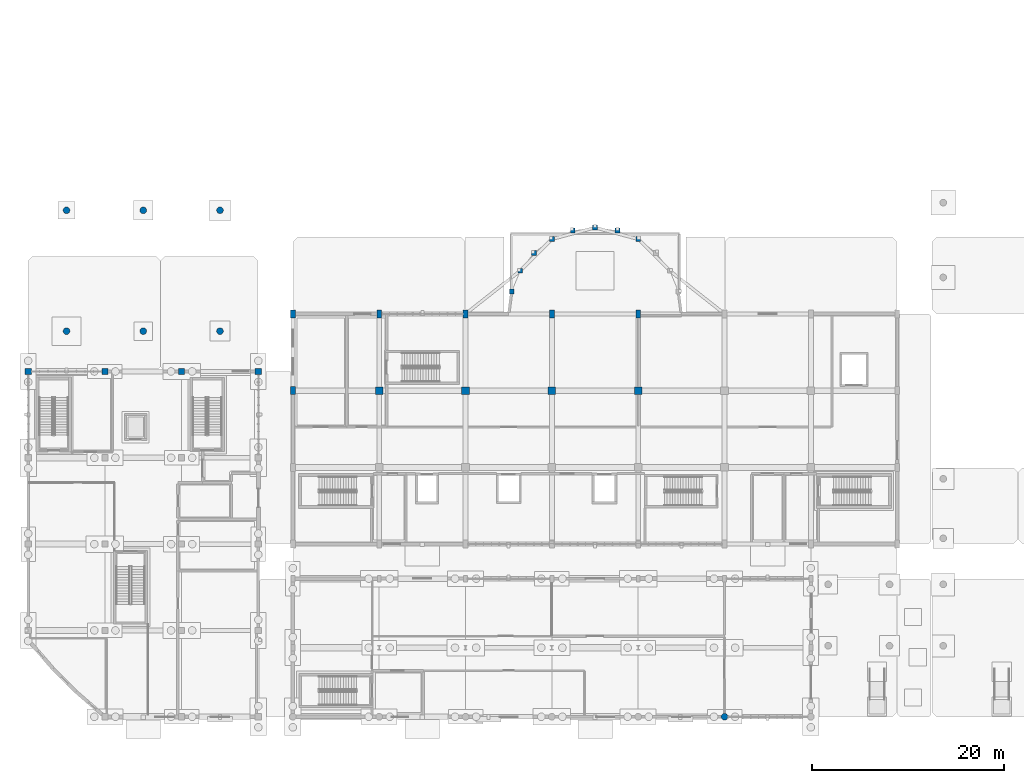
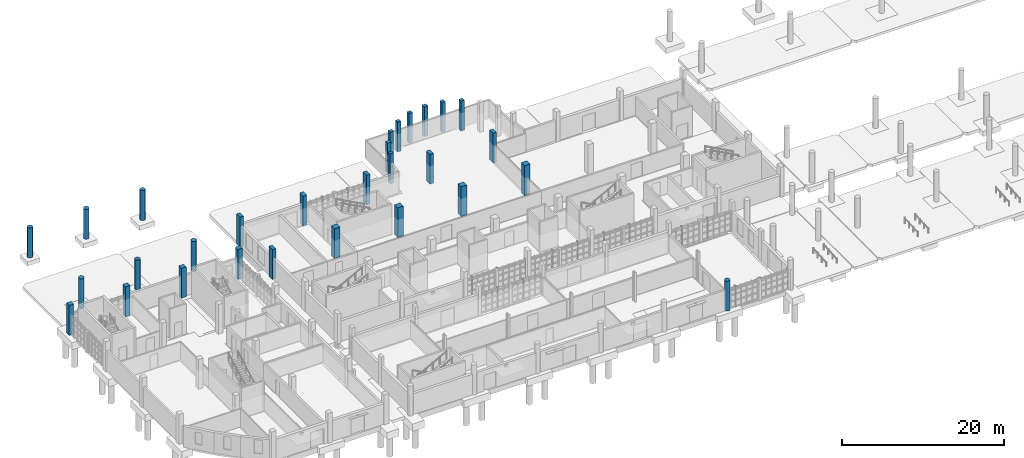
# One storey, part 6 of 63: 29 columns.
"""IFC4 building model written with IfcOpenShell, lengths in metres."""

from ifc_helpers import new_model, si_unit, direction, frame, origin, origin_2d, place, context, subcontext, project, spatial, rectangle, circle, extrude, material, material_profile, profile_set, type_object, element, save


model = new_model("IFC4")

# Units and contexts
model_context = context("Model", 3, precision=1e-05, world=origin(), true_north=direction((0.0, 1.0)))
body_context = subcontext(model_context, "Body", "Model", "MODEL_VIEW")
ifc_project = project(units=[si_unit("LENGTHUNIT", "METRE"), si_unit("AREAUNIT", "SQUARE_METRE"), si_unit("VOLUMEUNIT", "CUBIC_METRE"), si_unit("PLANEANGLEUNIT", "RADIAN"), si_unit("MASSUNIT", "GRAM", prefix="KILO")], contexts=[model_context])

# Site, building, storey
site_placement = place(None, origin())
site = spatial("IfcSite", under=ifc_project, at=site_placement, CompositionType="ELEMENT")
building_placement = place(site_placement, origin())
building = spatial("IfcBuilding", under=site, at=building_placement, Name="Serraforn Aerial Cableway Station", CompositionType="ELEMENT")
storey_placement = place(building_placement, origin())
storey = spatial("IfcBuildingStorey", under=building, at=storey_placement, Name="L00", CompositionType="ELEMENT", Elevation=0.0)

# Columns
ifc_material_1 = material(Name="Concrete C35/45", Category="concrete")
ifc_material_profile_1 = material_profile(ifc_material_1, rectangle(XDim=0.5, YDim=0.5, at=origin_2d()), Name="RC 500x500")
ifc_profile_set_1 = profile_set([ifc_material_profile_1], Name="Concrete C35/45")
column_type_1 = type_object("IfcColumnType", Name="COL-RC-500E", PredefinedType="COLUMN", material=ifc_profile_set_1)
for number, where, z_axis, x_axis, name in (
    (1, (50.40673828125, 44.329345703125, 0.0), (0.0, 0.0, 1.0), (1.0, 0.0, 0.0), "Apse Radial Column L00-1"),
    (2, (51.305908203125, 46.5, 0.0), (0.0, 0.0, 1.0), (1.0, 0.0, 0.0), "Apse Radial Column L00-2"),
    (3, (52.736083984375, 48.364013671875, 0.0), (0.0, 0.0, 1.0), (1.0, 0.0, 0.0), "Apse Radial Column L00-3"),
    (4, (54.60009765625, 49.794189453125, 0.0), (0.0, 0.0, 1.0), (1.0, 0.0, 0.0), "Apse Radial Column L00-4"),
    (5, (56.7705078125, 50.693359375, 0.0), (0.0, 0.0, 1.0), (1.0, 0.0, 0.0), "Apse Radial Column L00-5"),
    (6, (59.10009765625, 51.0, 0.0), (0.0, 0.0, 1.0), (1.0, 0.0, 0.0), "Apse Radial Column L00-6"),
    (7, (61.429443359375, 50.693359375, 0.0), (0.0, 0.0, 1.0), (1.0, 0.0, 0.0), "Apse Radial Column L00-7"),
    (8, (63.60009765625, 49.794189453125, 0.0), (0.0, 0.0, 1.0), (1.0, 0.0, 0.0), "Apse Radial Column L00-8"),
):
    element("IfcColumn", number, at=place(storey_placement, frame(where, z_axis=z_axis, x_axis=x_axis)), inside=storey, type_object=column_type_1, Name=name, PredefinedType="COLUMN", context=body_context, shape_type="SweptSolid", body=[
        extrude(rectangle(XDim=0.5, YDim=0.5, at=origin_2d()), origin(), (0.0, 0.0, 1.0), 4.5),
    ])
ifc_material_2 = material(Name="Concrete C40/50", Category="concrete")
ifc_material_profile_2 = material_profile(ifc_material_2, rectangle(XDim=0.5, YDim=0.85009765625, at=origin_2d()), Name="RC 500x850")
ifc_profile_set_2 = profile_set([ifc_material_profile_2], Name="Concrete C40/50")
column_type_2 = type_object("IfcColumnType", Name="COL-RC-500x850", PredefinedType="COLUMN", material=ifc_profile_set_2)
for number, where, z_axis, x_axis, name in (
    (9, (27.60009765625, 34.0, 0.0), (0.0, 0.0, 1.0), (1.0, 0.0, 0.0), "Column CV L00 5-D2"),
    (10, (27.60009765625, 42.0, 0.0), (0.0, 0.0, 1.0), (1.0, 0.0, 0.0), "Column CV L00 5-F"),
    (11, (36.60009765625, 42.0, 0.0), (0.0, 0.0, 1.0), (1.0, 0.0, 0.0), "Column CV L00 6-F"),
    (12, (45.60009765625, 42.0, 0.0), (0.0, 0.0, 1.0), (1.0, 0.0, 0.0), "Column CV L00 7-F"),
    (13, (54.60009765625, 42.0, 0.0), (0.0, 0.0, 1.0), (1.0, 0.0, 0.0), "Column CV L00 8-F"),
    (14, (63.60009765625, 42.0, 0.0), (0.0, 0.0, 1.0), (1.0, 0.0, 0.0), "Column CV L00 9-F"),
):
    element("IfcColumn", number, at=place(storey_placement, frame(where, z_axis=z_axis, x_axis=x_axis)), inside=storey, type_object=column_type_2, Name=name, PredefinedType="COLUMN", context=body_context, shape_type="SweptSolid", body=[
        extrude(rectangle(XDim=0.5, YDim=0.85009765625, at=origin_2d()), origin(), (0.0, 0.0, 1.0), 4.5),
    ])
ifc_material_profile_3 = material_profile(ifc_material_1, rectangle(XDim=0.64990234375, YDim=0.64990234375, at=origin_2d()), Name="RC 650x650")
ifc_profile_set_3 = profile_set([ifc_material_profile_3], Name="Concrete C35/45")
column_type_3 = type_object("IfcColumnType", Name="COL-RC-650E", PredefinedType="COLUMN", material=ifc_profile_set_3)
for number, where, z_axis, x_axis, name in (
    (15, (0.0, 36.0, 0.0), (0.0, 0.0, 1.0), (1.0, 0.0, 0.0), "Column W L00 1-E"),
    (16, (8.0, 36.0, 0.0), (0.0, 0.0, 1.0), (1.0, 0.0, 0.0), "Column W L00 2-E"),
    (17, (16.0, 36.0, 0.0), (0.0, 0.0, 1.0), (1.0, 0.0, 0.0), "Column W L00 3-E"),
    (18, (24.0, 36.0, 0.0), (0.0, 0.0, 1.0), (1.0, 0.0, 0.0), "Column W L00 4-E"),
):
    element("IfcColumn", number, at=place(storey_placement, frame(where, z_axis=z_axis, x_axis=x_axis)), inside=storey, type_object=column_type_3, Name=name, PredefinedType="COLUMN", context=body_context, shape_type="SweptSolid", body=[
        extrude(rectangle(XDim=0.64990234375, YDim=0.64990234375, at=origin_2d()), origin(), (0.0, 0.0, 1.0), 4.5),
    ])
ifc_material_profile_4 = material_profile(ifc_material_2, rectangle(XDim=0.800048828125, YDim=0.800048828125, at=origin_2d()), Name="RC 800x800")
ifc_profile_set_4 = profile_set([ifc_material_profile_4], Name="Concrete C40/50")
column_type_4 = type_object("IfcColumnType", Name="COL-RC-800", PredefinedType="COLUMN", material=ifc_profile_set_4)
for number, where, z_axis, x_axis, name in (
    (19, (36.60009765625, 34.0, 0.0), (0.0, 0.0, 1.0), (1.0, 0.0, 0.0), "Column CV L00 6-D2"),
    (20, (45.60009765625, 34.0, 0.0), (0.0, 0.0, 1.0), (1.0, 0.0, 0.0), "Column CV L00 7-D2"),
    (21, (54.60009765625, 34.0, 0.0), (0.0, 0.0, 1.0), (1.0, 0.0, 0.0), "Column CV L00 8-D2"),
    (22, (63.60009765625, 34.0, 0.0), (0.0, 0.0, 1.0), (1.0, 0.0, 0.0), "Column CV L00 9-D2"),
):
    element("IfcColumn", number, at=place(storey_placement, frame(where, z_axis=z_axis, x_axis=x_axis)), inside=storey, type_object=column_type_4, Name=name, PredefinedType="COLUMN", context=body_context, shape_type="SweptSolid", body=[
        extrude(rectangle(XDim=0.800048828125, YDim=0.800048828125, at=origin_2d()), origin(), (0.0, 0.0, 1.0), 4.5),
    ])
ifc_material_profile_5 = material_profile(ifc_material_1, circle(Radius=0.35009765625, at=origin_2d()), Name="RC D700")
ifc_profile_set_5 = profile_set([ifc_material_profile_5], Name="Concrete C35/45")
column_type_5 = type_object("IfcColumnType", Name="COL-RC-D700", PredefinedType="COLUMN", material=ifc_profile_set_5)
for number, where, z_axis, x_axis, name in (
    (23, (72.60009765625, 0.0, 0.0), (0.0, 0.0, 1.0), (1.0, 0.0, 0.0), "Column CF L00 10-A"),
    (24, (4.0, 40.199951171875, 0.0), (0.0, 0.0, 1.0), (1.0, 0.0, 0.0), "Art Deco Colonnade Pier W-1-1"),
    (25, (4.0, 52.800048828125, 0.0), (0.0, 0.0, 1.0), (1.0, 0.0, 0.0), "Art Deco Colonnade Pier W-1-2"),
    (26, (12.0, 40.199951171875, 0.0), (0.0, 0.0, 1.0), (1.0, 0.0, 0.0), "Art Deco Colonnade Pier W-2-1"),
    (27, (12.0, 52.800048828125, 0.0), (0.0, 0.0, 1.0), (1.0, 0.0, 0.0), "Art Deco Colonnade Pier W-2-2"),
    (28, (20.0, 40.199951171875, 0.0), (0.0, 0.0, 1.0), (1.0, 0.0, 0.0), "Art Deco Colonnade Pier W-3-1"),
    (29, (20.0, 52.800048828125, 0.0), (0.0, 0.0, 1.0), (1.0, 0.0, 0.0), "Art Deco Colonnade Pier W-3-2"),
):
    element("IfcColumn", number, at=place(storey_placement, frame(where, z_axis=z_axis, x_axis=x_axis)), inside=storey, type_object=column_type_5, Name=name, PredefinedType="COLUMN", context=body_context, shape_type="SweptSolid", body=[
        extrude(circle(Radius=0.35009765625, at=origin_2d()), origin(), (0.0, 0.0, 1.0), 4.5),
    ])

save(model, "model.ifc")
